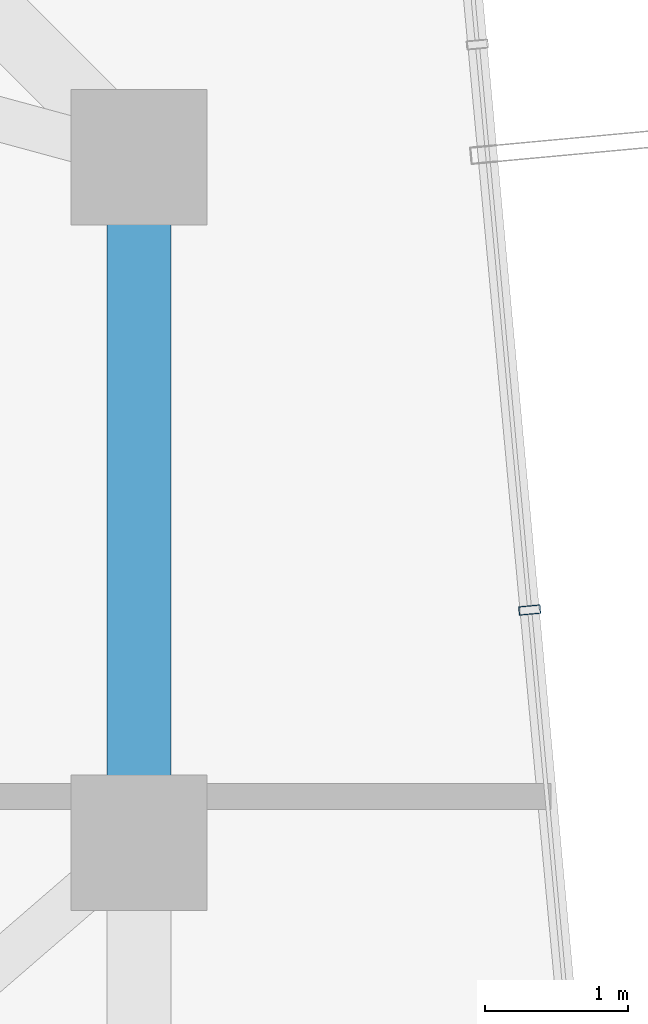
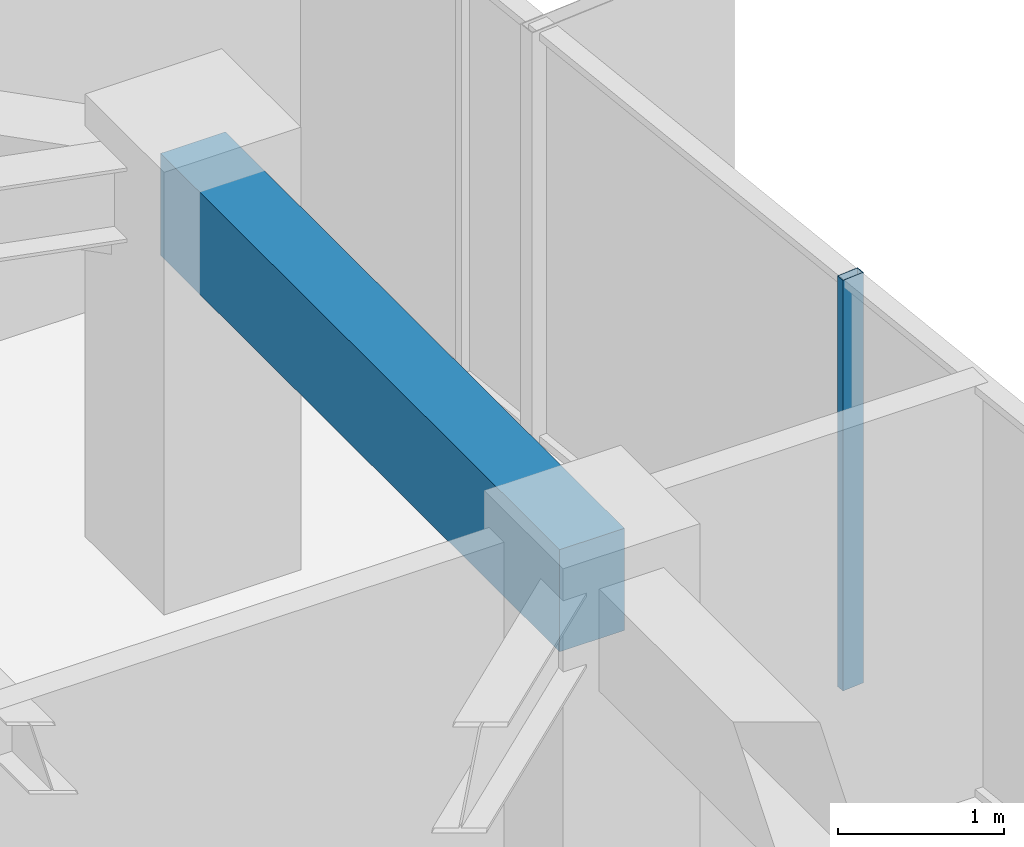
# One storey, part 18 of 32: 1 beam, 1 member, 1 element without a shape of its own.
"""IFC4 building model written with IfcOpenShell, lengths in metres."""

from ifc_helpers import new_model, si_unit, direction, frame, origin, origin_2d, place, context, subcontext, project, spatial, rectangle, hollow_rectangle, extrude, source, transform, mapped, material, layer, layer_set, material_profile, profile_set, type_object, element, aggregate, save


model = new_model("IFC4")

# Units and contexts
model_context = context("Model", 3, precision=1e-05, world=origin(), true_north=direction((0.0, 1.0)))
body_context = subcontext(model_context, "Body", "Model", "MODEL_VIEW")
ifc_project = project(units=[si_unit("LENGTHUNIT", "METRE"), si_unit("AREAUNIT", "SQUARE_METRE"), si_unit("VOLUMEUNIT", "CUBIC_METRE"), si_unit("PLANEANGLEUNIT", "RADIAN"), si_unit("MASSUNIT", "GRAM", prefix="KILO")], contexts=[model_context])

# Site, building, storey
site_placement = place(None, origin())
site = spatial("IfcSite", under=ifc_project, at=site_placement, CompositionType="ELEMENT")
building_placement = place(site_placement, origin())
building = spatial("IfcBuilding", under=site, at=building_placement, Name="Veraguas Prism Commons", CompositionType="ELEMENT")
storey_placement = place(building_placement, frame((0.0, 0.0, 188.60009765625)))
storey = spatial("IfcBuildingStorey", under=building, at=storey_placement, Name="L53", CompositionType="ELEMENT", Elevation=188.60009765625)

# Beam
ifc_material_1 = material(Name="Concrete C50/60", Category="concrete")
ifc_material_profile_1 = material_profile(ifc_material_1, rectangle(XDim=0.449951171875, YDim=0.75, at=origin_2d()), Name="RC450X750")
ifc_profile_set_1 = profile_set([ifc_material_profile_1], Name="Concrete C50/60")
beam_type = type_object("IfcBeamType", Name="Perimeter Spandrel Upper RC 450x750", PredefinedType="SPANDREL", material=ifc_profile_set_1)
beam_placement = place(storey_placement, frame((38.89990234375, 24.0, 2.639892578125), z_axis=(0.0, 1.0, 0.0), x_axis=(-1.0, 0.0, 0.0)))
element("IfcBeam", 1, at=beam_placement, inside=storey, type_object=beam_type, Name="Perimeter Spandrel Beam L53-SP02", PredefinedType="SPANDREL", context=body_context, shape_type="SweptSolid", body=[
    extrude(rectangle(XDim=0.449951171875, YDim=0.75, at=origin_2d()), origin(), (0.0, 0.0, 1.0), 4.800048828125),
])

# Curtain wall, member
ifc_material_2 = material(Name="Anodised aluminium EN AW-6063 T6", Category="aluminium")
ifc_layer = layer(ifc_material_2, 0.14990234375, Name="Unitised Flush Curtain Wall Zone 3", Category="aluminium")
ifc_layer_set = layer_set([ifc_layer], Name="Anodised aluminium EN AW-6063 T6")
curtain_wall_type = type_object("IfcCurtainWallType", Name="Unitised Flush Curtain Wall Zone 3", PredefinedType="NOTDEFINED", material=ifc_layer_set)
curtain_wall_placement = place(storey_placement, origin())
curtain_wall = element("IfcCurtainWall", 2, at=curtain_wall_placement, inside=storey, type_object=curtain_wall_type, Name="Tower Facade Curtain Wall L53-F6", PredefinedType="NOTDEFINED")
ifc_material_profile_2 = material_profile(ifc_material_2, hollow_rectangle(XDim=0.06005859375, YDim=0.14990234375, WallThickness=0.0029296875, at=origin_2d()), Name="AL60X150X3")
ifc_profile_set_2 = profile_set([ifc_material_profile_2], Name="Anodised aluminium EN AW-6063 T6")
member_type = type_object("IfcMemberType", Name="Curtain Wall Mullion Upper AL 60x150x3", PredefinedType="MULLION", material=ifc_profile_set_2)
shared_shape = source(origin(), body_context, "Body", "SweptSolid", [
    extrude(hollow_rectangle(XDim=0.06005859375, YDim=0.14990234375, WallThickness=0.0029296875, at=origin_2d()), origin(), (0.0, 0.0, 1.0), 3.014892578125),
])
member_placement = place(storey_placement, frame((41.635009765625, 25.629638671875, 0.0), z_axis=(0.0, 0.0, 1.0), x_axis=(-0.092023008338, 0.995756880939, 0.0)))
member = element("IfcMember", 3, at=member_placement, type_object=member_type, Name="CW-Z3 Mullion 3", PredefinedType="MULLION", context=body_context, shape_type="MappedRepresentation", body=[
    mapped(shared_shape, transform((0.0, 0.0, 0.0), scale=1.0)),
])
aggregate(curtain_wall, [member])

save(model, "model.ifc")
